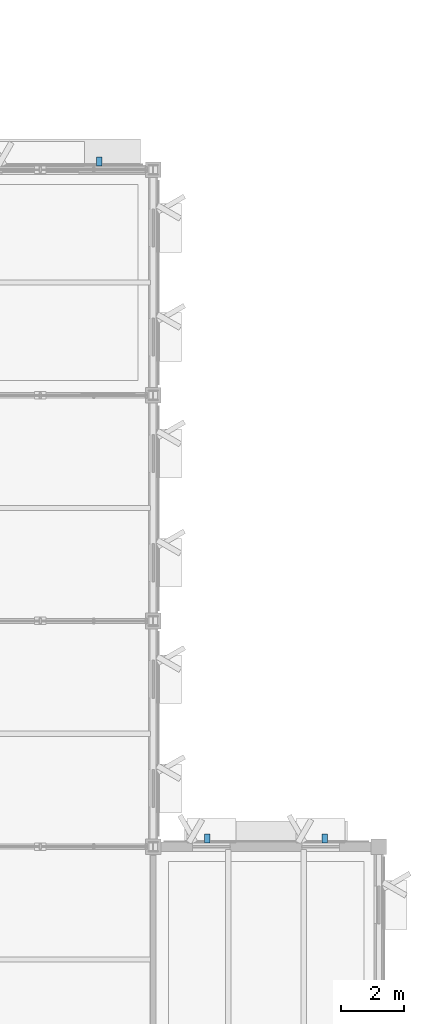
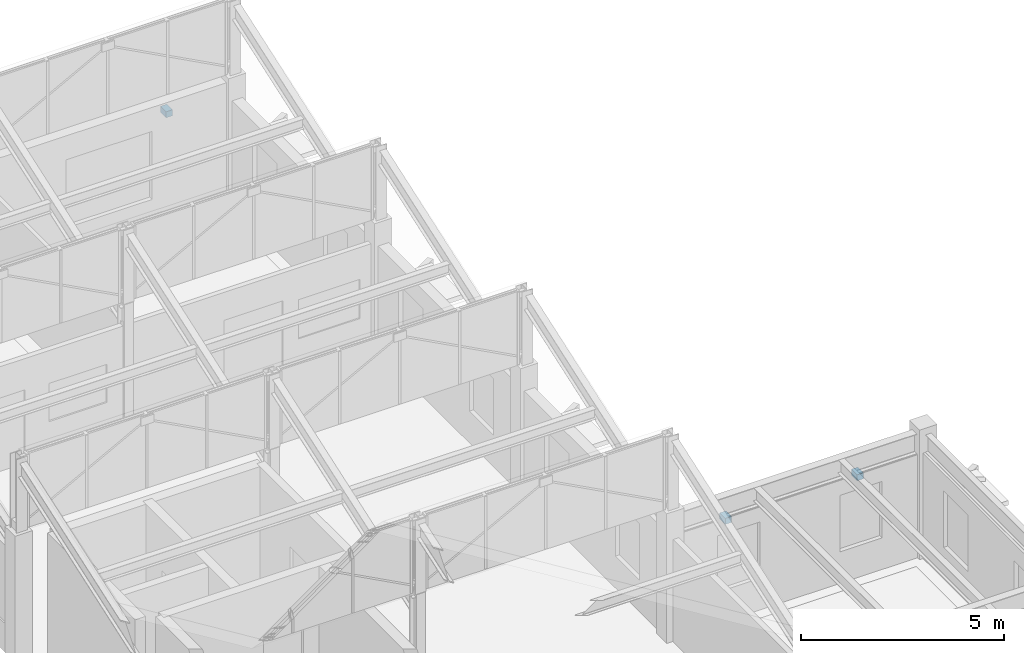
# One storey, part 47 of 82: 3 discrete accessories.
"""IFC4 building model written with IfcOpenShell, lengths in metres."""

from ifc_helpers import new_model, si_unit, direction, frame, origin, origin_2d, place, context, subcontext, project, spatial, rectangle, extrude, material, type_object, element, save


model = new_model("IFC4")

# Units and contexts
model_context = context("Model", 3, precision=1e-05, world=origin(), true_north=direction((0.0, 1.0)))
body_context = subcontext(model_context, "Body", "Model", "MODEL_VIEW")
ifc_project = project(units=[si_unit("LENGTHUNIT", "METRE"), si_unit("AREAUNIT", "SQUARE_METRE"), si_unit("VOLUMEUNIT", "CUBIC_METRE"), si_unit("PLANEANGLEUNIT", "RADIAN"), si_unit("MASSUNIT", "GRAM", prefix="KILO")], contexts=[model_context])

# Site, building, storey
site_placement = place(None, origin())
site = spatial("IfcSite", under=ifc_project, at=site_placement, CompositionType="ELEMENT")
building_placement = place(site_placement, origin())
building = spatial("IfcBuilding", under=site, at=building_placement, Name="Sillqori Civic Hall", CompositionType="ELEMENT")
storey_placement = place(building_placement, frame((0.0, 0.0, 14.10009765625)))
storey = spatial("IfcBuildingStorey", under=building, at=storey_placement, Name="L04", CompositionType="ELEMENT", Elevation=14.10009765625)

# Discrete accessories
ifc_material = material(Name="Steel ASTM A572 Grade 50", Category="steel")
discrete_accessory_type = type_object("IfcDiscreteAccessoryType", Name="BRK-FAC-240", PredefinedType="BRACKET", material=ifc_material)
for number, where, z_axis, x_axis, name in (
    (1, (135.075927734375, 79.4599609375, 3.0498046875), (0.0, 0.0, 1.0), (1.0, 0.0, 0.0), "Sun-hood steel bracket L04-18-10-N.2"),
    (2, (138.52392578125, 57.860107421875, 2.69970703125), (0.0, 0.0, 1.0), (1.0, 0.0, 0.0), "Sun-hood steel bracket L04-19-07-N.1"),
    (3, (142.27587890625, 57.860107421875, 2.69970703125), (0.0, 0.0, 1.0), (1.0, 0.0, 0.0), "Sun-hood steel bracket L04-19-07-N.2"),
):
    element("IfcDiscreteAccessory", number, at=place(storey_placement, frame(where, z_axis=z_axis, x_axis=x_axis)), inside=storey, type_object=discrete_accessory_type, Name=name, PredefinedType="BRACKET", context=body_context, shape_type="SweptSolid", body=[
        extrude(rectangle(XDim=0.179931640625, YDim=0.280029296875, at=origin_2d()), origin(), (0.0, 0.0, 1.0), 0.179931640625),
    ])

save(model, "model.ifc")
